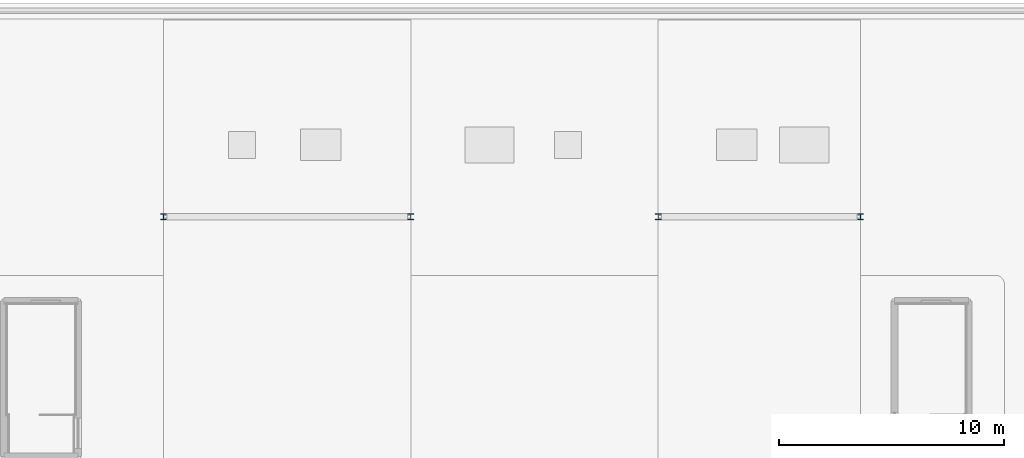
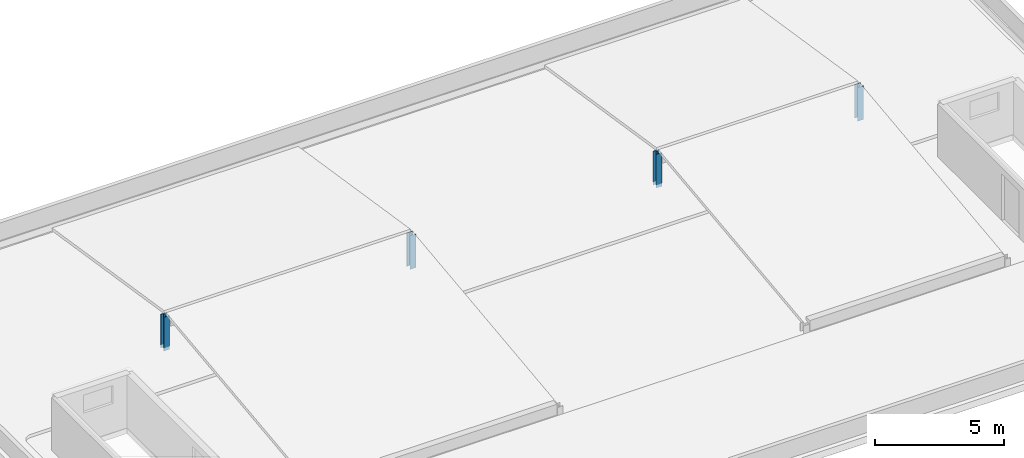
# One storey, part 2 of 79: 4 columns.
"""IFC4 building model written with IfcOpenShell, lengths in metres."""

from ifc_helpers import new_model, si_unit, direction, frame, origin, origin_2d, place, context, subcontext, project, spatial, i_section, extrude, material, material_profile, profile_set, type_object, element, save


model = new_model("IFC4")

# Units and contexts
model_context = context("Model", 3, precision=1e-05, world=origin(), true_north=direction((0.0, 1.0)))
body_context = subcontext(model_context, "Body", "Model", "MODEL_VIEW")
ifc_project = project(units=[si_unit("LENGTHUNIT", "METRE"), si_unit("AREAUNIT", "SQUARE_METRE"), si_unit("VOLUMEUNIT", "CUBIC_METRE"), si_unit("PLANEANGLEUNIT", "RADIAN"), si_unit("MASSUNIT", "GRAM", prefix="KILO")], contexts=[model_context])

# Site, building, storey
site_placement = place(None, origin())
site = spatial("IfcSite", under=ifc_project, at=site_placement, CompositionType="ELEMENT")
building_placement = place(site_placement, origin())
building = spatial("IfcBuilding", under=site, at=building_placement, Name="Keldmere Railside Commons", CompositionType="ELEMENT")
storey_placement = place(building_placement, frame((0.0, 0.0, 10.56005859375)))
storey = spatial("IfcBuildingStorey", under=building, at=storey_placement, Name="L03", CompositionType="ELEMENT", Elevation=10.56005859375)

# Columns
ifc_material = material(Name="Steel F-36 (S355)", Category="steel")
ifc_material_profile = material_profile(ifc_material, i_section(OverallWidth=0.260009765625, OverallDepth=0.260009765625, WebThickness=0.010009765625, FlangeThickness=0.017578125, at=origin_2d()), Name="HEB-260")
ifc_profile_set = profile_set([ifc_material_profile], Name="Steel F-36 (S355)")
column_type = type_object("IfcColumnType", Name="Pavilion Clerestory Steel Post HEB260", PredefinedType="COLUMN", material=ifc_profile_set)
for number, where, z_axis, x_axis, name in (
    (1, (137.0, 30.800048828125, 0.0), (0.0, 0.0, 1.0), (1.0, 0.0, 0.0), "SC-3 COL-L03-1337"),
    (2, (148.0, 30.800048828125, 0.0), (0.0, 0.0, 1.0), (1.0, 0.0, 0.0), "SC-3 COL-L03-1411"),
    (3, (159.0, 30.800048828125, 0.0), (0.0, 0.0, 1.0), (1.0, 0.0, 0.0), "SC-3 COL-L03-1467"),
    (4, (168.0, 30.800048828125, 0.0), (0.0, 0.0, 1.0), (1.0, 0.0, 0.0), "SC-3 COL-L03-1534"),
):
    element("IfcColumn", number, at=place(storey_placement, frame(where, z_axis=z_axis, x_axis=x_axis)), inside=storey, type_object=column_type, Name=name, PredefinedType="COLUMN", context=body_context, shape_type="SweptSolid", body=[
        extrude(i_section(OverallWidth=0.260009765625, OverallDepth=0.260009765625, WebThickness=0.010009765625, FlangeThickness=0.017578125, at=origin_2d()), origin(), (0.0, 0.0, 1.0), 1.58984375),
    ])

save(model, "model.ifc")
